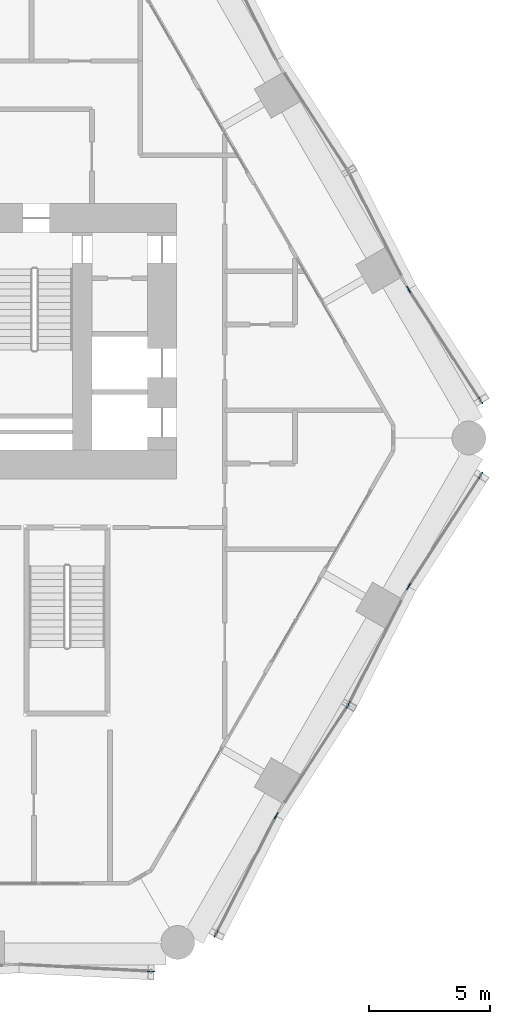
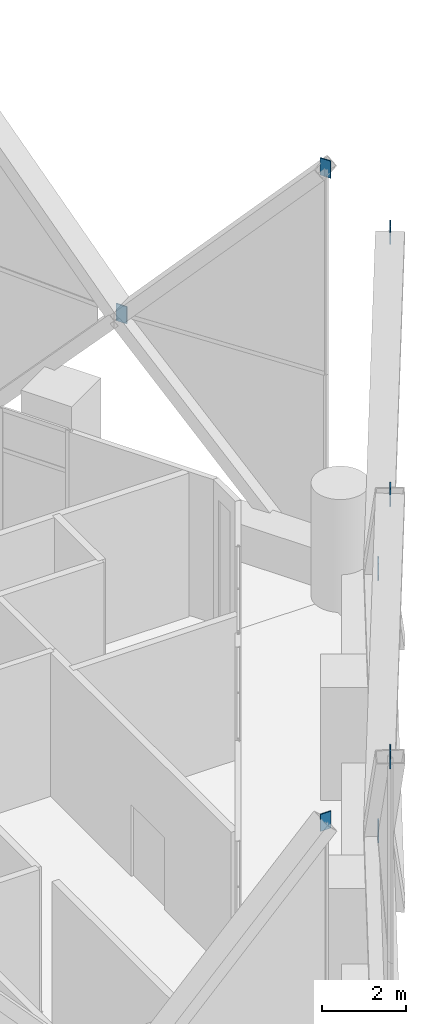
# One storey, part 43 of 46: 8 discrete accessories.
"""IFC4 building model written with IfcOpenShell, lengths in metres."""

from ifc_helpers import new_model, si_unit, direction, frame, origin, origin_2d, place, context, subcontext, project, spatial, rectangle, extrude, material, layer, layer_set, type_object, element, save


model = new_model("IFC4")

# Units and contexts
model_context = context("Model", 3, precision=1e-05, world=origin(), true_north=direction((0.0, 1.0)))
body_context = subcontext(model_context, "Body", "Model", "MODEL_VIEW")
ifc_project = project(units=[si_unit("LENGTHUNIT", "METRE"), si_unit("AREAUNIT", "SQUARE_METRE"), si_unit("VOLUMEUNIT", "CUBIC_METRE"), si_unit("PLANEANGLEUNIT", "RADIAN"), si_unit("MASSUNIT", "GRAM", prefix="KILO")], contexts=[model_context])

# Site, building, storey
site_placement = place(None, origin())
site = spatial("IfcSite", under=ifc_project, at=site_placement, CompositionType="ELEMENT")
building_placement = place(site_placement, origin())
building = spatial("IfcBuilding", under=site, at=building_placement, Name="Ostrander Bayou Hotel Tower", CompositionType="ELEMENT")
storey_placement = place(building_placement, frame((0.0, 0.0, 23.5)))
storey = spatial("IfcBuildingStorey", under=building, at=storey_placement, Name="L05", CompositionType="ELEMENT", Elevation=23.5)

# Discrete accessories
ifc_material = material(Name="Steel ASTM A572 Gr 50", Category="steel")
ifc_layer = layer(ifc_material, 0.030029296875)
ifc_layer_set = layer_set([ifc_layer], Name="GP1 gusset plate 30 mm")
discrete_accessory_type = type_object("IfcDiscreteAccessoryType", Name="GP1 gusset plate 30 mm", PredefinedType="BRACKET", material=ifc_layer_set)
for number, where, z_axis, x_axis, name in (
    (1, (10.95068359375, -22.070068359375, 11.14990234375), (0.0, 0.0, 1.0), (1.0, 0.0, 0.0), "GP1 gusset plate lat 55"),
    (2, (16.126953125, -15.63330078125, 5.14990234375), (0.0, 0.0, 1.0), (0.5, 0.866025403784, 0.0), "GP1 gusset plate lat 56"),
    (3, (13.637939453125, -20.5185546875, 11.14990234375), (0.0, 0.0, 1.0), (0.5, 0.866025403784, 0.0), "GP1 gusset plate lat 57"),
    (4, (19.11328125, -11.034912109375, 11.14990234375), (0.0, 0.0, 1.0), (0.5, 0.866025403784, 0.0), "GP1 gusset plate lat 58"),
    (5, (21.602294921875, -6.14990234375, 5.14990234375), (0.0, 0.0, 1.0), (0.5, 0.866025403784, 0.0), "GP1 gusset plate lat 59"),
    (6, (24.58837890625, -1.551513671875, 11.14990234375), (0.0, 0.0, 1.0), (0.5, 0.866025403784, 0.0), "GP1 gusset plate lat 60"),
    (7, (21.602294921875, 6.14990234375, 5.14990234375), (0.0, 0.0, 1.0), (-0.5, 0.866025403784, 0.0), "GP1 gusset plate lat 61"),
    (8, (24.58837890625, 1.551513671875, 11.14990234375), (0.0, 0.0, 1.0), (-0.5, 0.866025403784, 0.0), "GP1 gusset plate lat 62"),
):
    element("IfcDiscreteAccessory", number, at=place(storey_placement, frame(where, z_axis=z_axis, x_axis=x_axis)), inside=storey, type_object=discrete_accessory_type, Name=name, PredefinedType="BRACKET", context=body_context, shape_type="SweptSolid", body=[
        extrude(rectangle(XDim=0.300048828125, YDim=0.030029296875, at=origin_2d()), origin(), (0.0, 0.0, 1.0), 0.5),
    ])

save(model, "model.ifc")
